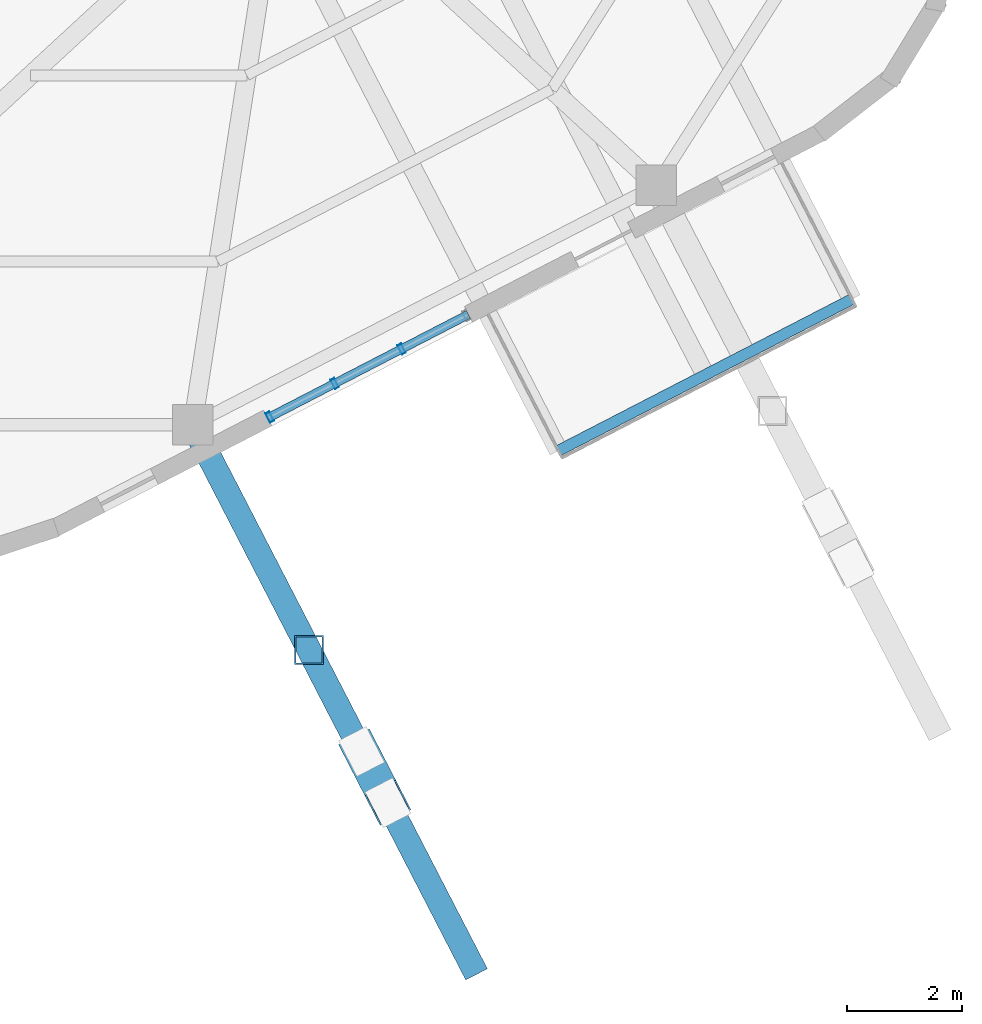
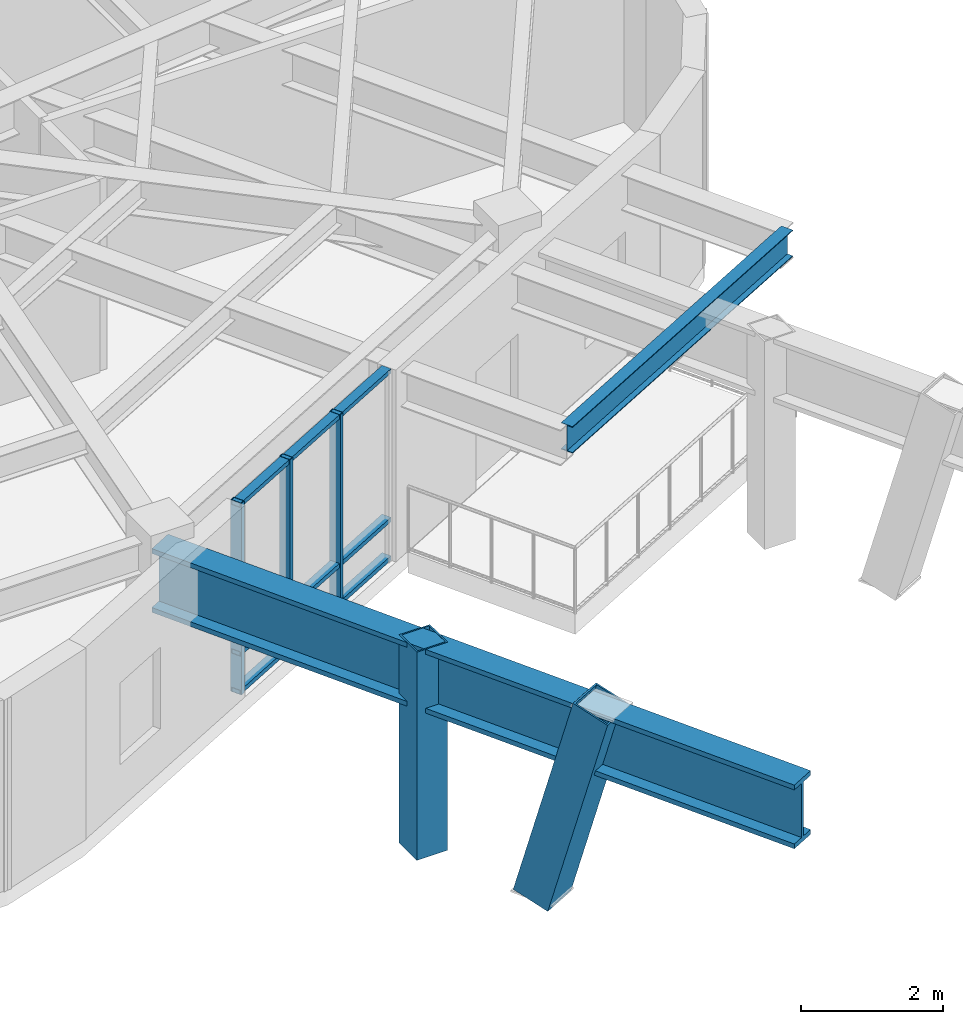
# One storey, part 2 of 10: 8 members, 2 beams, 1 element without a shape of its own.
"""IFC4 building model written with IfcOpenShell, lengths in metres."""

from ifc_helpers import new_model, si_unit, direction, frame, origin, origin_2d, place, context, subcontext, project, spatial, hollow_rectangle, i_section, extrude, material, layer, layer_set, material_profile, profile_set, type_object, element, aggregate, save


model = new_model("IFC4")

# Units and contexts
model_context = context("Model", 3, precision=1e-05, world=origin(), true_north=direction((0.0, 1.0)))
body_context = subcontext(model_context, "Body", "Model", "MODEL_VIEW")
ifc_project = project(units=[si_unit("LENGTHUNIT", "METRE"), si_unit("AREAUNIT", "SQUARE_METRE"), si_unit("VOLUMEUNIT", "CUBIC_METRE"), si_unit("PLANEANGLEUNIT", "RADIAN"), si_unit("MASSUNIT", "GRAM", prefix="KILO"), si_unit("THERMODYNAMICTEMPERATUREUNIT", "KELVIN"), si_unit("POWERUNIT", "WATT")], contexts=[model_context])

# Site, building, storey
site_placement = place(None, origin())
site = spatial("IfcSite", under=ifc_project, at=site_placement, CompositionType="ELEMENT")
building_placement = place(site_placement, origin())
building = spatial("IfcBuilding", under=site, at=building_placement, Name="Skarre Station Tower", CompositionType="ELEMENT")
storey_placement = place(building_placement, frame((0.0, 0.0, 224.14990234375)))
storey = spatial("IfcBuildingStorey", under=building, at=storey_placement, Name="L61", CompositionType="ELEMENT", Elevation=224.14990234375)

# Curtain wall, members
ifc_material_1 = material(Name="Thermally Broken Bronze-Anodized Aluminium & Triple Low-E Glass", Category="aluminium")
ifc_layer = layer(ifc_material_1, 0.18994140625, Name="Thermally Broken Bronze-Anodized Aluminium & Triple Low-E Glass")
ifc_layer_set = layer_set([ifc_layer], Name="Thermally Broken Bronze-Anodized Aluminium & Triple Low-E Glass")
curtain_wall_type = type_object("IfcCurtainWallType", Name="Sky-Garden Setback Conservatory Curtain Wall", PredefinedType="NOTDEFINED", material=ifc_layer_set)
curtain_wall_placement = place(storey_placement, origin())
curtain_wall = element("IfcCurtainWall", 1, at=curtain_wall_placement, inside=storey, type_object=curtain_wall_type, Name="L61 Facet 4 Conservatory Curtain Wall", PredefinedType="NOTDEFINED")
ifc_material_2 = material(Name="Anodized Aluminium 6063-T6", Category="aluminium")
ifc_material_profile_1 = material_profile(ifc_material_2, hollow_rectangle(XDim=0.074951171875, YDim=0.14990234375, WallThickness=0.00390625, at=origin_2d()), Name="Anodized Aluminium 6063-T6")
ifc_profile_set_1 = profile_set([ifc_material_profile_1], Name="Anodized Aluminium 6063-T6")
member_type_1 = type_object("IfcMemberType", Name="Curtain-Wall Secondary Transom 150x75", PredefinedType="USERDEFINED", material=ifc_profile_set_1)
member_1_placement = place(storey_placement, frame((42.6708984375, 10.465087890625, 0.0400390625), z_axis=(-0.888470771822, -0.458933206053, 0.0), x_axis=(0.0, 0.0, 1.0)))
member_1 = element("IfcMember", 2, at=member_1_placement, type_object=member_type_1, Name="L61 Facet 4 Conservatory Curtain Wall Transom 1", ObjectType="TRANSOM", PredefinedType="USERDEFINED", context=body_context, shape_type="SweptSolid", body=[
    extrude(hollow_rectangle(XDim=0.074951171875, YDim=0.14990234375, WallThickness=0.00390625, at=origin_2d()), origin(), (0.0, 0.0, 1.0), 3.920166015625),
])
member_2_placement = place(storey_placement, frame((42.6708984375, 10.465087890625, 0.7001953125), z_axis=(-0.888470771822, -0.458933206053, 0.0), x_axis=(0.0, 0.0, 1.0)))
member_2 = element("IfcMember", 3, at=member_2_placement, type_object=member_type_1, Name="L61 Facet 4 Conservatory Curtain Wall Transom 2", ObjectType="TRANSOM", PredefinedType="USERDEFINED", context=body_context, shape_type="SweptSolid", body=[
    extrude(hollow_rectangle(XDim=0.074951171875, YDim=0.14990234375, WallThickness=0.00390625, at=origin_2d()), origin(), (0.0, 0.0, 1.0), 3.920166015625),
])
member_3_placement = place(storey_placement, frame((42.6708984375, 10.465087890625, 3.25), z_axis=(-0.888470771822, -0.458933206053, 0.0), x_axis=(0.0, 0.0, 1.0)))
member_3 = element("IfcMember", 4, at=member_3_placement, type_object=member_type_1, Name="L61 Facet 4 Conservatory Curtain Wall Transom 3", ObjectType="TRANSOM", PredefinedType="USERDEFINED", context=body_context, shape_type="SweptSolid", body=[
    extrude(hollow_rectangle(XDim=0.074951171875, YDim=0.14990234375, WallThickness=0.00390625, at=origin_2d()), origin(), (0.0, 0.0, 1.0), 3.920166015625),
])
ifc_material_profile_2 = material_profile(ifc_material_2, hollow_rectangle(XDim=0.074951171875, YDim=0.179931640625, WallThickness=0.00390625, at=origin_2d()), Name="Anodized Aluminium 6063-T6")
ifc_profile_set_2 = profile_set([ifc_material_profile_2], Name="Anodized Aluminium 6063-T6")
member_type_2 = type_object("IfcMemberType", Name="Curtain-Wall Unitised Tower Mullion 180x75", PredefinedType="MULLION", material=ifc_profile_set_2)
member_4_placement = place(storey_placement, frame((41.510009765625, 9.864990234375, 0.0), z_axis=(0.0, 0.0, 1.0), x_axis=(-0.88848110948, -0.458913192332, 0.0)))
member_4 = element("IfcMember", 5, at=member_4_placement, type_object=member_type_2, Name="L61 Facet 4 Conservatory Curtain Wall Mullion 2", PredefinedType="MULLION", context=body_context, shape_type="SweptSolid", body=[
    extrude(hollow_rectangle(XDim=0.074951171875, YDim=0.179931640625, WallThickness=0.00390625, at=origin_2d()), origin(), (0.0, 0.0, 1.0), 3.2900390625),
])
member_5_placement = place(storey_placement, frame((40.34912109375, 9.26611328125, 0.0), z_axis=(0.0, 0.0, 1.0), x_axis=(-0.88848110948, -0.458913192332, 0.0)))
member_5 = element("IfcMember", 6, at=member_5_placement, type_object=member_type_2, Name="L61 Facet 4 Conservatory Curtain Wall Mullion 3", PredefinedType="MULLION", context=body_context, shape_type="SweptSolid", body=[
    extrude(hollow_rectangle(XDim=0.074951171875, YDim=0.179931640625, WallThickness=0.00390625, at=origin_2d()), origin(), (0.0, 0.0, 1.0), 3.2900390625),
])
member_6_placement = place(storey_placement, frame((39.22412109375, 8.68408203125, 0.0), z_axis=(0.0, 0.0, 1.0), x_axis=(-0.88848110948, -0.458913192332, 0.0)))
member_6 = element("IfcMember", 7, at=member_6_placement, type_object=member_type_2, Name="L61 Facet 4 Conservatory Curtain Wall Mullion 4", PredefinedType="MULLION", context=body_context, shape_type="SweptSolid", body=[
    extrude(hollow_rectangle(XDim=0.074951171875, YDim=0.179931640625, WallThickness=0.00390625, at=origin_2d()), origin(), (0.0, 0.0, 1.0), 3.2900390625),
])
aggregate(curtain_wall, [member_4, member_5, member_6, member_1, member_2, member_3])

# Beams
ifc_material_3 = material(Name="Steel ASTM A992 Grade 50", Category="steel")
ifc_material_profile_3 = material_profile(ifc_material_3, i_section(OverallWidth=0.19091796875, OverallDepth=0.45703125, WebThickness=0.009033203125, FlangeThickness=0.013916015625, at=origin_2d()), Name="Steel ASTM A992 Grade 50")
ifc_profile_set_3 = profile_set([ifc_material_profile_3], Name="Steel ASTM A992 Grade 50")
beam_type_1 = type_object("IfcBeamType", Name="Steel Joist W18X50", PredefinedType="JOIST", material=ifc_profile_set_3)
beam_1_placement = place(storey_placement, frame((49.322021484375, 10.72900390625, 2.95703125), z_axis=(-0.888600487867, -0.458681995464, 0.0), x_axis=(0.458681995464, -0.888600487867, 0.0)))
element("IfcBeam", 8, at=beam_1_placement, inside=storey, type_object=beam_type_1, Name="L61 SG-3-L62 Rim Beam", PredefinedType="JOIST", context=body_context, shape_type="SweptSolid", body=[
    extrude(i_section(OverallWidth=0.19091796875, OverallDepth=0.45703125, WebThickness=0.009033203125, FlangeThickness=0.013916015625, at=origin_2d()), origin(), (0.0, 0.0, 1.0), 5.729248046875),
])
ifc_material_4 = material(Name="Steel ASTM A913 Grade 65", Category="steel")
ifc_material_profile_4 = material_profile(ifc_material_4, i_section(OverallWidth=0.424072265625, OverallDepth=1.092041015625, WebThickness=0.044921875, FlangeThickness=0.08203125, at=origin_2d()), Name="Steel ASTM A913 Grade 65")
ifc_profile_set_4 = profile_set([ifc_material_profile_4], Name="Steel ASTM A913 Grade 65")
beam_type_2 = type_object("IfcBeamType", Name="Steel Transfer Girder W40X593", PredefinedType="USERDEFINED", material=ifc_profile_set_4)
beam_2_placement = place(storey_placement, frame((37.888916015625, 8.552978515625, 2.583984375), z_axis=(0.458744347108, -0.88856830013, 0.0), x_axis=(0.88856830013, 0.458744347108, 0.0)))
element("IfcBeam", 9, at=beam_2_placement, inside=storey, type_object=beam_type_2, Name="L61 SB-5 Exoskeleton Tier-2 Transfer Girder S1", ObjectType="TRANSFER_GIRDER", PredefinedType="USERDEFINED", context=body_context, shape_type="SweptSolid", body=[
    extrude(i_section(OverallWidth=0.424072265625, OverallDepth=1.092041015625, WebThickness=0.044921875, FlangeThickness=0.08203125, at=origin_2d()), origin(), (0.0, 0.0, 1.0), 10.7294921875),
])

# Members
ifc_material_5 = material(Name="Steel ASTM A501 Grade B", Category="steel")
ifc_material_profile_5 = material_profile(ifc_material_5, hollow_rectangle(XDim=0.5, YDim=0.5, WallThickness=0.02490234375, at=origin_2d()), Name="Steel ASTM A501 Grade B")
ifc_profile_set_5 = profile_set([ifc_material_profile_5], Name="Steel ASTM A501 Grade B")
member_type_3 = type_object("IfcMemberType", Name="Steel Truss Strut HSS500X500X25", PredefinedType="STRUT", material=ifc_profile_set_5)
member_7_placement = place(storey_placement, frame((39.906982421875, 4.64306640625, -0.43994140625), z_axis=(0.0, 0.0, 1.0), x_axis=(1.0, 0.0, 0.0)))
element("IfcMember", 10, at=member_7_placement, inside=storey, type_object=member_type_3, Name="L61 SB-5 Exoskeleton Post Tier 2 S1", PredefinedType="STRUT", context=body_context, shape_type="SweptSolid", body=[
    extrude(hollow_rectangle(XDim=0.5, YDim=0.5, WallThickness=0.02490234375, at=origin_2d()), origin(), (0.0, 0.0, 1.0), 3.570068359375),
])
ifc_material_profile_6 = material_profile(ifc_material_5, hollow_rectangle(XDim=0.60009765625, YDim=0.60009765625, WallThickness=0.028076171875, at=origin_2d()), Name="Steel ASTM A501 Grade B")
ifc_profile_set_6 = profile_set([ifc_material_profile_6], Name="Steel ASTM A501 Grade B")
member_type_4 = type_object("IfcMemberType", Name="Steel Truss Strut HSS600X600X28", PredefinedType="STRUT", material=ifc_profile_set_6)
member_8_placement = place(storey_placement, frame((40.81591796875, 2.884033203125, -0.43994140625), z_axis=(0.123536498026, -0.239763533748, 0.962939344684), x_axis=(0.888941422314, 0.45802090312, 0.0)))
element("IfcMember", 11, at=member_8_placement, inside=storey, type_object=member_type_4, Name="L61 SB-5 Exoskeleton Raking Strut Tier 2 S1", PredefinedType="STRUT", context=body_context, shape_type="SweptSolid", body=[
    extrude(hollow_rectangle(XDim=0.60009765625, YDim=0.60009765625, WallThickness=0.028076171875, at=origin_2d()), origin(), (0.0, 0.0, 1.0), 3.70751953125),
])

save(model, "model.ifc")
